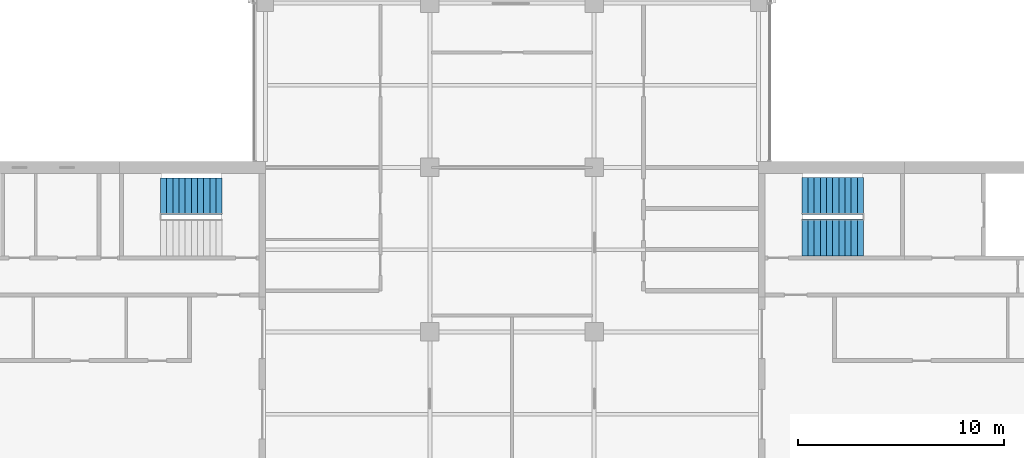
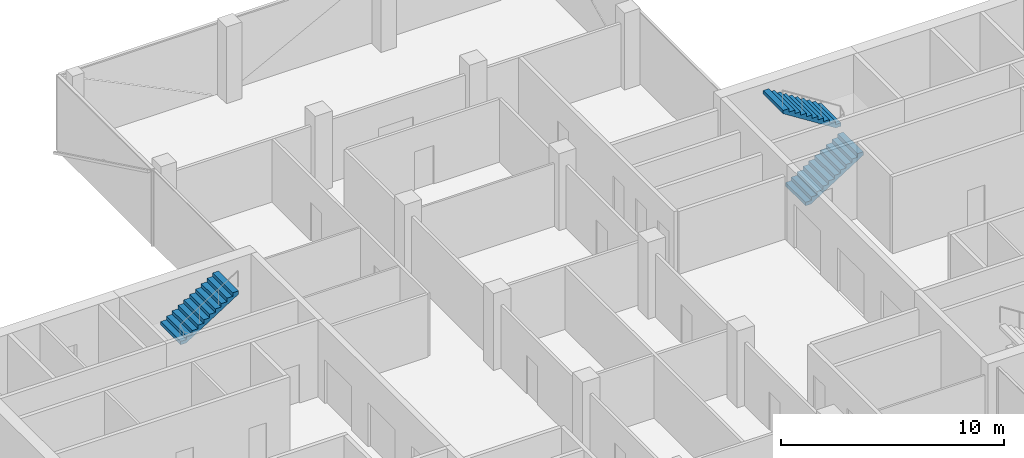
# One storey, part 13 of 16: 3 stair flights, 2 elements without a shape of their own.
"""IFC4 building model written with IfcOpenShell, lengths in metres."""

import ifcopenshell
import ifcopenshell.guid

model = None  # the IFC model being written
_history = None  # IfcOwnerHistory: only IFC2X3 demands one
_inside = {}  # id of a spatial element -> (the spatial element, [elements in it])
_under = {}  # id of a project, library or spatial element -> (it, [spatial elements below it])
_declared = {}  # id of a project -> (the project, [libraries it declares])
_typed = {}  # id of a type object -> (the type object, [elements of that type])
_made_of = {}  # id of a material, layer set ... -> (it, [elements and type objects made of it])


def new_model(schema):
    """Start an empty IFC model of exactly this schema.

    Asked for "IFC4X3", IfcOpenShell would pick the latest addendum, in which some entities
    have other attributes; the version numbers below select the first issue.
    IFC2X3 requires an IfcOwnerHistory on every rooted entity: one is made here for all.
    """
    global model, _history
    if schema == "IFC4X3":
        model = ifcopenshell.file(schema_version=(4, 3, 0, 0))
    else:
        model = ifcopenshell.file(schema=schema)
    _inside.clear()
    _under.clear()
    _declared.clear()
    _typed.clear()
    _made_of.clear()
    _history = None
    if model.schema == "IFC2X3":
        org = make("IfcOrganization", Name="unknown")
        user = make(
            "IfcPersonAndOrganization",
            ThePerson=make("IfcPerson", FamilyName="unknown"),
            TheOrganization=org,
        )
        app = make(
            "IfcApplication",
            ApplicationDeveloper=org,
            Version="unknown",
            ApplicationFullName="unknown",
            ApplicationIdentifier="unknown",
        )
        _history = make(
            "IfcOwnerHistory",
            OwningUser=user,
            OwningApplication=app,
            ChangeAction="ADDED",
            CreationDate=0,
        )
    return model


def make(cls, **values):
    """One entity of the class cls with the attributes given. An attribute that is None is left unset."""
    return model.create_entity(
        cls, **{name: value for name, value in values.items() if value is not None}
    )


def rooted(cls, **values):
    """An entity with a GlobalId (a new one), such as an element, a storey or a relation."""
    return make(cls, GlobalId=ifcopenshell.guid.new(), OwnerHistory=_history, **values)


def si_unit(unit_type, name, prefix=None):
    """IfcSIUnit, for example si_unit("LENGTHUNIT", "METRE", prefix="MILLI")."""
    return make("IfcSIUnit", UnitType=unit_type, Prefix=prefix, Name=name)


def assignment(units):
    """IfcUnitAssignment: the units of a project."""
    return None if units is None else make("IfcUnitAssignment", Units=units)


def point(xyz):
    """IfcCartesianPoint."""
    return None if xyz is None else make("IfcCartesianPoint", Coordinates=xyz)


def direction(xyz):
    """IfcDirection."""
    return None if xyz is None else make("IfcDirection", DirectionRatios=xyz)


def frame(location, z_axis=None, x_axis=None):
    """IfcAxis2Placement3D, a coordinate frame: its origin and axes. An axis left out is left unset."""
    return make(
        "IfcAxis2Placement3D",
        Location=point(location),
        Axis=direction(z_axis),
        RefDirection=direction(x_axis),
    )


def origin():
    """The frame at (0, 0, 0) with its axes left unset."""
    return frame((0.0, 0.0, 0.0))


def place(relative_to, where):
    """IfcLocalPlacement: puts the frame where relative to a parent placement (None: the world)."""
    return make(
        "IfcLocalPlacement", PlacementRelTo=relative_to, RelativePlacement=where
    )


def context(
    kind, dimensions, precision=None, world=None, true_north=None, identifier=None
):
    """IfcGeometricRepresentationContext, for example the 3D "Model" context."""
    return make(
        "IfcGeometricRepresentationContext",
        ContextIdentifier=identifier,
        ContextType=kind,
        CoordinateSpaceDimension=dimensions,
        Precision=precision,
        WorldCoordinateSystem=world,
        TrueNorth=true_north,
    )


def subcontext(parent, identifier, kind, view, scale=None):
    """IfcGeometricRepresentationSubContext, for example "Body" below "Model"."""
    return make(
        "IfcGeometricRepresentationSubContext",
        ContextIdentifier=identifier,
        ContextType=kind,
        ParentContext=parent,
        TargetScale=scale,
        TargetView=view,
    )


def project(units=None, contexts=None):
    """IfcProject with its units and contexts."""
    return rooted(
        "IfcProject",
        Name="project",
        RepresentationContexts=contexts,
        UnitsInContext=assignment(units),
    )


def spatial(cls, under=None, at=None, **own):
    """A site, building, storey or space (cls), placed at a placement, below another one or the project."""
    s = rooted(cls, ObjectPlacement=at, **own)
    if under is not None:
        _under.setdefault(under.id(), (under, []))[1].append(s)
    return s


def polyline(points):
    """IfcPolyline through the points."""
    return make("IfcPolyline", Points=[point(p) for p in points])


def outline(outer, holes=None, kind="AREA"):
    """IfcArbitraryClosedProfileDef: a profile drawn as a closed curve; with holes, ...WithVoids."""
    if holes is None:
        return make("IfcArbitraryClosedProfileDef", ProfileType=kind, OuterCurve=outer)
    return make(
        "IfcArbitraryProfileDefWithVoids",
        ProfileType=kind,
        OuterCurve=outer,
        InnerCurves=holes,
    )


def extrude(swept, where, along, depth):
    """IfcExtrudedAreaSolid: the profile swept, set in the frame where, extruded along a direction by depth."""
    return make(
        "IfcExtrudedAreaSolid",
        SweptArea=swept,
        Position=where,
        ExtrudedDirection=direction(along),
        Depth=depth,
    )


def shape(context_of_items, identifier, shape_type, items):
    """IfcShapeRepresentation: the items that make up one representation, for example the "Body"."""
    return make(
        "IfcShapeRepresentation",
        ContextOfItems=context_of_items,
        RepresentationIdentifier=identifier,
        RepresentationType=shape_type,
        Items=items,
    )


def material(Name=None, Category=None):
    """IfcMaterial."""
    return make("IfcMaterial", Name=Name, Category=Category)


def made_of(thing, what):
    """Note that an element or type object is made of a material, layer set ...; save() writes the relation."""
    if what is not None:
        _made_of.setdefault(what.id(), (what, []))[1].append(thing)
    return thing


def type_object(cls, material=None, **own):
    """A type object (cls), such as IfcWallType, which elements share."""
    return made_of(rooted(cls, **own), material)


def element(
    cls,
    number,
    at=None,
    inside=None,
    cuts=None,
    type_object=None,
    material=None,
    context=None,
    identifier="Body",
    shape_type=None,
    held_by="IfcProductDefinitionShape",
    body=None,
    shapes=None,
    **own,
):
    """One element of the class cls, such as IfcWall. Its Tag is "e" and its number.

    at: its placement. inside: the storey or other place that contains it. cuts: it is an
    opening in that element (IfcRelVoidsElement). A single representation is given by context,
    identifier, shape_type and body (its items); several are given by shapes. held_by: the class
    of the entity that holds the representations. save() writes the other relations.
    """
    e = rooted(cls, Tag="e%d" % number, ObjectPlacement=at, **own)
    if body is not None:
        shapes = [shape(context, identifier, shape_type, body)]
    if shapes is not None:
        e.Representation = make(held_by, Representations=shapes)
    if inside is not None:
        _inside.setdefault(inside.id(), (inside, []))[1].append(e)
    if cuts is not None:
        rooted(
            "IfcRelVoidsElement", RelatingBuildingElement=cuts, RelatedOpeningElement=e
        )
    if type_object is not None:
        _typed.setdefault(type_object.id(), (type_object, []))[1].append(e)
    return made_of(e, material)


def aggregate(whole, parts):
    """IfcRelAggregates: a whole, such as a stair, and the parts it consists of."""
    return rooted("IfcRelAggregates", RelatingObject=whole, RelatedObjects=parts)


def save(model, path):
    """Write the relations noted so far, then the file.

    IfcRelAggregates (storeys below a building ...), IfcRelContainedInSpatialStructure (elements
    in a storey), IfcRelDefinesByType, IfcRelAssociatesMaterial and IfcRelDeclares: one each for
    every whole, place, type object, material and project.
    """
    for whole, parts in _under.values():
        aggregate(whole, parts)
    for where, things in _inside.values():
        rooted(
            "IfcRelContainedInSpatialStructure",
            RelatedElements=things,
            RelatingStructure=where,
        )
    for kind, things in _typed.values():
        rooted("IfcRelDefinesByType", RelatedObjects=things, RelatingType=kind)
    for what, things in _made_of.values():
        rooted("IfcRelAssociatesMaterial", RelatedObjects=things, RelatingMaterial=what)
    for by, libraries in _declared.values():
        rooted("IfcRelDeclares", RelatingContext=by, RelatedDefinitions=libraries)
    model.write(path)


model = new_model("IFC4")

# Units and contexts
model_context = context("Model", 3, precision=1e-05, world=origin(), true_north=direction((0.0, 1.0)))
body_context = subcontext(model_context, "Body", "Model", "MODEL_VIEW")
ifc_project = project(units=[si_unit("LENGTHUNIT", "METRE"), si_unit("AREAUNIT", "SQUARE_METRE"), si_unit("VOLUMEUNIT", "CUBIC_METRE"), si_unit("PLANEANGLEUNIT", "RADIAN"), si_unit("MASSUNIT", "GRAM", prefix="KILO")], contexts=[model_context])

# Site, building, storey
site_placement = place(None, origin())
site = spatial("IfcSite", under=ifc_project, at=site_placement, CompositionType="ELEMENT")
building_placement = place(site_placement, origin())
building = spatial("IfcBuilding", under=site, at=building_placement, Name="Crosswind Convention Tower", CompositionType="ELEMENT")
storey_placement = place(building_placement, frame((0.0, 0.0, 216.699951171875)))
storey = spatial("IfcBuildingStorey", under=building, at=storey_placement, Name="L46", CompositionType="ELEMENT", Elevation=216.699951171875)

# Stair, stair flights
ifc_material = material(Name="Concrete C40/50", Category="concrete")
stair_type = type_object("IfcStairType", Name="Exit stair 1800 wide, 2 flights of 11 risers", PredefinedType="HALF_TURN_STAIR", material=ifc_material)
stair_1_placement = place(storey_placement, origin())
stair_1 = element("IfcStair", 1, at=stair_1_placement, inside=storey, type_object=stair_type, Name="Exit stair ST1 L46", ObjectType="ST5", PredefinedType="HALF_TURN_STAIR")
stair_flight_type = type_object("IfcStairFlightType", Name="Stair flight 1800 wide, 11 risers (SF4)", PredefinedType="STRAIGHT", material=ifc_material)
stair_flight_1_placement = place(storey_placement, frame((139.10009765625, 108.60009765625, 0.0), z_axis=(0.0, 0.0, 1.0), x_axis=(1.0, 0.0, 0.0)))
stair_flight_1 = element("IfcStairFlight", 2, at=stair_flight_1_placement, type_object=stair_flight_type, Name="ST1 flight 1", NumberOfRisers=11, NumberOfTreads=10, PredefinedType="STRAIGHT", RiserHeight=0.190909091, TreadLength=0.3, context=body_context, shape_type="SweptSolid", body=[
    extrude(outline(polyline([(0.0, 0.0), (0.0, 0.19091796875), (0.300048828125, 0.19091796875), (0.300048828125, 0.3818359375), (0.60009765625, 0.3818359375), (0.60009765625, 0.57275390625), (0.89990234375, 0.57275390625), (0.89990234375, 0.763671875), (1.199951171875, 0.763671875), (1.199951171875, 0.95458984375), (1.5, 0.95458984375), (1.5, 1.1455078125), (1.800048828125, 1.1455078125), (1.800048828125, 1.33642578125), (2.10009765625, 1.33642578125), (2.10009765625, 1.52734375), (2.39990234375, 1.52734375), (2.39990234375, 1.71826171875), (2.699951171875, 1.71826171875), (2.699951171875, 1.9091796875), (3.0, 1.9091796875), (3.0, 2.10009765625), (3.0, 1.7314453125), (0.279296875, 0.0), (0.0, 0.0)])), frame((0.0, 0.89990234375, 0.0), z_axis=(0.0, -1.0, 0.0), x_axis=(1.0, 0.0, 0.0)), (0.0, 0.0, 1.0), 1.800048828125),
])
stair_flight_2_placement = place(storey_placement, frame((142.10009765625, 110.60009765625, 2.10009765625), z_axis=(0.0, 0.0, 1.0), x_axis=(-1.0, 0.0, 0.0)))
stair_flight_2 = element("IfcStairFlight", 3, at=stair_flight_2_placement, type_object=stair_flight_type, Name="ST1 flight 2", NumberOfRisers=11, NumberOfTreads=10, PredefinedType="STRAIGHT", RiserHeight=0.190909091, TreadLength=0.3, context=body_context, shape_type="SweptSolid", body=[
    extrude(outline(polyline([(0.0, 0.0), (0.0, 0.19091796875), (0.300048828125, 0.19091796875), (0.300048828125, 0.3818359375), (0.60009765625, 0.3818359375), (0.60009765625, 0.57275390625), (0.89990234375, 0.57275390625), (0.89990234375, 0.763671875), (1.199951171875, 0.763671875), (1.199951171875, 0.95458984375), (1.5, 0.95458984375), (1.5, 1.1455078125), (1.800048828125, 1.1455078125), (1.800048828125, 1.33642578125), (2.10009765625, 1.33642578125), (2.10009765625, 1.52734375), (2.39990234375, 1.52734375), (2.39990234375, 1.71826171875), (2.699951171875, 1.71826171875), (2.699951171875, 1.9091796875), (3.0, 1.9091796875), (3.0, 2.10009765625), (3.0, 1.7314453125), (0.279296875, 0.0), (0.0, 0.0)])), frame((0.0, 0.89990234375, 0.0), z_axis=(0.0, -1.0, 0.0), x_axis=(1.0, 0.0, 0.0)), (0.0, 0.0, 1.0), 1.800048828125),
])
aggregate(stair_1, [stair_flight_1, stair_flight_2])

# Stair, stair flight
stair_2_placement = place(storey_placement, origin())
stair_2 = element("IfcStair", 4, at=stair_2_placement, inside=storey, type_object=stair_type, Name="Exit stair ST4 L46", ObjectType="ST5", PredefinedType="HALF_TURN_STAIR")
stair_flight_3_placement = place(storey_placement, frame((107.89990234375, 110.60009765625, 2.10009765625), z_axis=(0.0, 0.0, 1.0), x_axis=(1.0, 0.0, 0.0)))
stair_flight_3 = element("IfcStairFlight", 5, at=stair_flight_3_placement, type_object=stair_flight_type, Name="ST4 flight 2", NumberOfRisers=11, NumberOfTreads=10, PredefinedType="STRAIGHT", RiserHeight=0.190909091, TreadLength=0.3, context=body_context, shape_type="SweptSolid", body=[
    extrude(outline(polyline([(0.0, 0.0), (0.0, 0.19091796875), (0.300048828125, 0.19091796875), (0.300048828125, 0.3818359375), (0.60009765625, 0.3818359375), (0.60009765625, 0.57275390625), (0.89990234375, 0.57275390625), (0.89990234375, 0.763671875), (1.199951171875, 0.763671875), (1.199951171875, 0.95458984375), (1.5, 0.95458984375), (1.5, 1.1455078125), (1.800048828125, 1.1455078125), (1.800048828125, 1.33642578125), (2.10009765625, 1.33642578125), (2.10009765625, 1.52734375), (2.39990234375, 1.52734375), (2.39990234375, 1.71826171875), (2.699951171875, 1.71826171875), (2.699951171875, 1.9091796875), (3.0, 1.9091796875), (3.0, 2.10009765625), (3.0, 1.7314453125), (0.279296875, 0.0), (0.0, 0.0)])), frame((0.0, 0.89990234375, 0.0), z_axis=(0.0, -1.0, 0.0), x_axis=(1.0, 0.0, 0.0)), (0.0, 0.0, 1.0), 1.800048828125),
])
aggregate(stair_2, [stair_flight_3])

save(model, "model.ifc")
